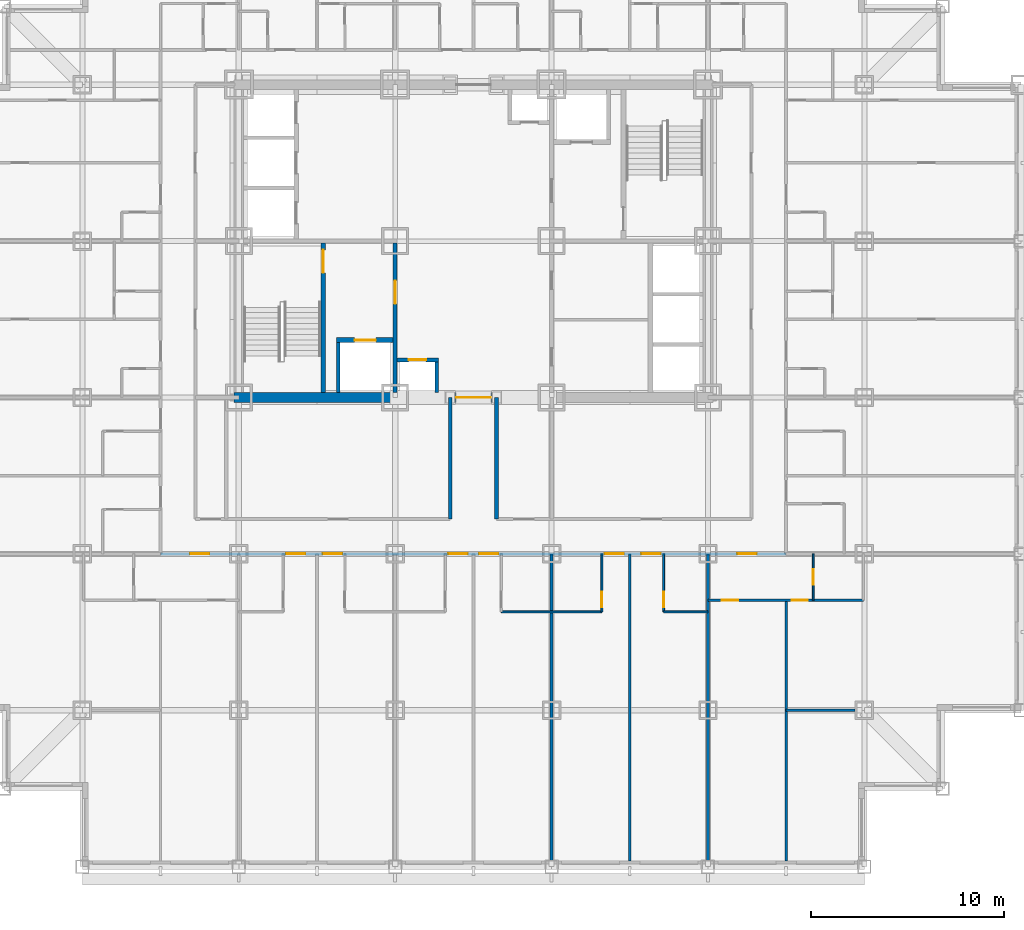
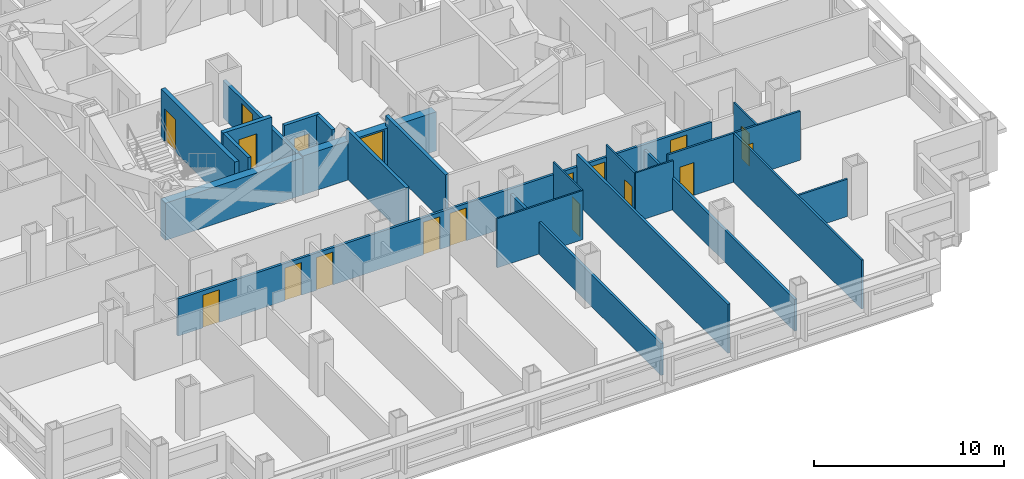
# One storey, part 6 of 12: 22 walls, 18 doors, 18 openings.
"""IFC4 building model written with IfcOpenShell, lengths in metres."""

from ifc_helpers import new_model, si_unit, direction, frame, frame_2d, origin, place, context, subcontext, project, spatial, rectangle, extrude, material, layer, layer_set, type_object, element, fill, save


model = new_model("IFC4")

# Units and contexts
model_context = context("Model", 3, precision=1e-05, world=origin(), true_north=direction((0.0, 1.0)))
body_context = subcontext(model_context, "Body", "Model", "MODEL_VIEW")
ifc_project = project(units=[si_unit("LENGTHUNIT", "METRE"), si_unit("AREAUNIT", "SQUARE_METRE"), si_unit("VOLUMEUNIT", "CUBIC_METRE"), si_unit("PLANEANGLEUNIT", "RADIAN"), si_unit("MASSUNIT", "GRAM", prefix="KILO")], contexts=[model_context])

# Site, building, storey
site_placement = place(None, origin())
site = spatial("IfcSite", under=ifc_project, at=site_placement, CompositionType="ELEMENT")
building_placement = place(site_placement, origin())
building = spatial("IfcBuilding", under=site, at=building_placement, Name="Kopane Lantern Tower", CompositionType="ELEMENT")
storey_placement = place(building_placement, frame((0.0, 0.0, 87.39990234375)))
storey = spatial("IfcBuildingStorey", under=building, at=storey_placement, Name="L22", CompositionType="ELEMENT", Elevation=87.39990234375)

# Wall, openings, doors
ifc_material_1 = material(Name="Gypsum board on steel studs", Category="steel")
ifc_layer_1 = layer(ifc_material_1, 0.1201171875)
ifc_layer_set_1 = layer_set([ifc_layer_1], Name="APARTMENT INTERNAL WALL 120")
wall_type_1 = type_object("IfcWallType", Name="APARTMENT INTERNAL WALL 120", PredefinedType="PARTITIONING", material=ifc_layer_set_1)
wall_1_placement = place(storey_placement, frame((40.5, 13.800048828125, 0.0), z_axis=(0.0, 0.0, 1.0), x_axis=(1.0, 0.0, 0.0)))
wall_1 = element("IfcWall", 1, at=wall_1_placement, inside=storey, type_object=wall_type_1, Name="Apartment Internal Wall 120 L22", PredefinedType="PARTITIONING", context=body_context, shape_type="SweptSolid", body=[
    extrude(rectangle(XDim=8.050048828125, YDim=0.1201171875, at=frame_2d((4.02490234375, 0.0))), origin(), (0.0, 0.0, 1.0), 3.150146484375),
])
opening_1_placement = place(wall_1_placement, frame((0.72509765625, 0.0, 0.0)))
opening_1 = element("IfcOpeningElement", 2, at=opening_1_placement, cuts=wall_1, Name="Opening L22-062", PredefinedType="OPENING", context=body_context, shape_type="SweptSolid", body=[
    extrude(rectangle(XDim=0.85009765625, YDim=2.10009765625, at=frame_2d((0.425048828125, 1.050048828125))), frame((0.0, 0.070068359375, 0.0), z_axis=(0.0, -1.0, 0.0), x_axis=(1.0, 0.0, 0.0)), (0.0, 0.0, 1.0), 0.14013671875),
])
opening_2_placement = place(wall_1_placement, frame((4.324951171875, 0.0, 0.0)))
opening_2 = element("IfcOpeningElement", 3, at=opening_2_placement, cuts=wall_1, Name="Opening L22-064", PredefinedType="OPENING", context=body_context, shape_type="SweptSolid", body=[
    extrude(rectangle(XDim=0.85009765625, YDim=2.10009765625, at=frame_2d((0.425048828125, 1.050048828125))), frame((0.0, 0.070068359375, 0.0), z_axis=(0.0, -1.0, 0.0), x_axis=(1.0, 0.0, 0.0)), (0.0, 0.0, 1.0), 0.14013671875),
])
ifc_material_2 = material(Name="Timber door set", Category="wood")
door_type_1 = type_object("IfcDoorType", Name="DOOR D4 850x2100", OperationType="SINGLE_SWING_LEFT", PredefinedType="DOOR", material=ifc_material_2)
door_1_placement = place(opening_1_placement, origin())
door_1 = element("IfcDoor", 4, at=door_1_placement, inside=storey, type_object=door_type_1, Name="Door L22-062", OperationType="SINGLE_SWING_LEFT", OverallHeight=2.10009765625, OverallWidth=0.85009765625, PredefinedType="DOOR", context=body_context, shape_type="SweptSolid", body=[
    extrude(rectangle(XDim=0.85009765625, YDim=2.10009765625, at=frame_2d((0.425048828125, 1.050048828125))), frame((0.0, 0.02490234375, 0.0), z_axis=(0.0, -1.0, 0.0), x_axis=(1.0, 0.0, 0.0)), (0.0, 0.0, 1.0), 0.050048828125),
])
fill(opening_1, door_1)
door_2_placement = place(opening_2_placement, origin())
door_2 = element("IfcDoor", 5, at=door_2_placement, inside=storey, type_object=door_type_1, Name="Door L22-064", OperationType="SINGLE_SWING_RIGHT", OverallHeight=2.10009765625, OverallWidth=0.85009765625, PredefinedType="DOOR", context=body_context, shape_type="SweptSolid", body=[
    extrude(rectangle(XDim=0.85009765625, YDim=2.10009765625, at=frame_2d((0.425048828125, 1.050048828125))), frame((0.0, 0.02490234375, 0.0), z_axis=(0.0, -1.0, 0.0), x_axis=(1.0, 0.0, 0.0)), (0.0, 0.0, 1.0), 0.050048828125),
])
fill(opening_2, door_2)

# Walls
wall_2_placement = place(storey_placement, frame((44.550048828125, 13.800048828125, 0.0), z_axis=(0.0, 0.0, 1.0), x_axis=(0.0, -1.0, 0.0)))
element("IfcWall", 6, at=wall_2_placement, inside=storey, type_object=wall_type_1, Name="Apartment Internal Wall 120 L22", PredefinedType="PARTITIONING", context=body_context, shape_type="SweptSolid", body=[
    extrude(rectangle(XDim=13.5, YDim=0.1201171875, at=frame_2d((6.75, 0.0))), origin(), (0.0, 0.0, 1.0), 3.150146484375),
])
wall_3_placement = place(storey_placement, frame((44.550048828125, 8.10009765625, 0.0), z_axis=(0.0, 0.0, 1.0), x_axis=(1.0, 0.0, 0.0)))
element("IfcWall", 7, at=wall_3_placement, inside=storey, type_object=wall_type_1, Name="Apartment Internal Wall 120 L22", PredefinedType="PARTITIONING", context=body_context, shape_type="SweptSolid", body=[
    extrude(rectangle(XDim=3.574951171875, YDim=0.1201171875, at=frame_2d((1.78759765625, 0.0))), origin(), (0.0, 0.0, 1.0), 2.387939453125),
])
ifc_material_3 = material(Name="Moisture-resistant board on steel studs", Category="steel")
ifc_layer_2 = layer(ifc_material_3, 0.10009765625)
ifc_layer_set_2 = layer_set([ifc_layer_2], Name="BATHROOM WALL 100")
wall_type_2 = type_object("IfcWallType", Name="BATHROOM WALL 100", PredefinedType="PARTITIONING", material=ifc_layer_set_2)
wall_4_placement = place(storey_placement, frame((29.800048828125, 13.199951171875, 0.0), z_axis=(0.0, 0.0, 1.0), x_axis=(1.0, 0.0, 0.0)))
element("IfcWall", 8, at=wall_4_placement, inside=storey, type_object=wall_type_2, Name="Bathroom Wall 100 L22", PredefinedType="PARTITIONING", context=body_context, shape_type="SweptSolid", body=[
    extrude(rectangle(XDim=5.199951171875, YDim=0.10009765625, at=frame_2d((2.60009765625, 0.0))), origin(), (0.0, 0.0, 1.0), 3.150146484375),
])

# Wall, opening, door
wall_5_placement = place(storey_placement, frame((35.0, 16.199951171875, 0.0), z_axis=(0.0, 0.0, 1.0), x_axis=(0.0, -1.0, 0.0)))
wall_5 = element("IfcWall", 9, at=wall_5_placement, inside=storey, type_object=wall_type_2, Name="Bathroom Wall 100 L22", PredefinedType="PARTITIONING", context=body_context, shape_type="SweptSolid", body=[
    extrude(rectangle(XDim=3.0, YDim=0.10009765625, at=frame_2d((1.5, 0.0))), origin(), (0.0, 0.0, 1.0), 3.150146484375),
])
opening_3_placement = place(wall_5_placement, frame((1.949951171875, 0.0, 0.0)))
opening_3 = element("IfcOpeningElement", 10, at=opening_3_placement, cuts=wall_5, Name="Opening L22-017", PredefinedType="OPENING", context=body_context, shape_type="SweptSolid", body=[
    extrude(rectangle(XDim=0.800048828125, YDim=2.10009765625, at=frame_2d((0.39990234375, 1.050048828125))), frame((0.0, 0.06005859375, 0.0), z_axis=(0.0, -1.0, 0.0), x_axis=(1.0, 0.0, 0.0)), (0.0, 0.0, 1.0), 0.1201171875),
])
ifc_material_4 = material(Name="Timber door set", Category="wood")
door_type_2 = type_object("IfcDoorType", Name="DOOR D2 800x2100", OperationType="SINGLE_SWING_LEFT", PredefinedType="DOOR", material=ifc_material_4)
door_3_placement = place(opening_3_placement, origin())
door_3 = element("IfcDoor", 11, at=door_3_placement, inside=storey, type_object=door_type_2, Name="Door L22-017", OperationType="SINGLE_SWING_LEFT", OverallHeight=2.10009765625, OverallWidth=0.800048828125, PredefinedType="DOOR", context=body_context, shape_type="SweptSolid", body=[
    extrude(rectangle(XDim=0.800048828125, YDim=2.10009765625, at=frame_2d((0.39990234375, 1.050048828125))), frame((0.0, 0.02490234375, 0.0), z_axis=(0.0, -1.0, 0.0), x_axis=(1.0, 0.0, 0.0)), (0.0, 0.0, 1.0), 0.050048828125),
])
fill(opening_3, door_3)

# Wall
wall_6_placement = place(storey_placement, frame((38.199951171875, 13.199951171875, 0.0), z_axis=(0.0, 0.0, 1.0), x_axis=(1.0, 0.0, 0.0)))
element("IfcWall", 12, at=wall_6_placement, inside=storey, type_object=wall_type_2, Name="Bathroom Wall 100 L22", PredefinedType="PARTITIONING", context=body_context, shape_type="SweptSolid", body=[
    extrude(rectangle(XDim=2.300048828125, YDim=0.10009765625, at=frame_2d((1.14990234375, 0.0))), origin(), (0.0, 0.0, 1.0), 3.150146484375),
])

# Wall, opening, door
wall_7_placement = place(storey_placement, frame((38.199951171875, 16.199951171875, 0.0), z_axis=(0.0, 0.0, 1.0), x_axis=(0.0, -1.0, 0.0)))
wall_7 = element("IfcWall", 13, at=wall_7_placement, inside=storey, type_object=wall_type_2, Name="Bathroom Wall 100 L22", PredefinedType="PARTITIONING", context=body_context, shape_type="SweptSolid", body=[
    extrude(rectangle(XDim=3.0, YDim=0.10009765625, at=frame_2d((1.5, 0.0))), origin(), (0.0, 0.0, 1.0), 3.150146484375),
])
opening_4_placement = place(wall_7_placement, frame((1.949951171875, 0.0, 0.0)))
opening_4 = element("IfcOpeningElement", 14, at=opening_4_placement, cuts=wall_7, Name="Opening L22-019", PredefinedType="OPENING", context=body_context, shape_type="SweptSolid", body=[
    extrude(rectangle(XDim=0.800048828125, YDim=2.10009765625, at=frame_2d((0.39990234375, 1.050048828125))), frame((0.0, 0.06005859375, 0.0), z_axis=(0.0, -1.0, 0.0), x_axis=(1.0, 0.0, 0.0)), (0.0, 0.0, 1.0), 0.1201171875),
])
door_4_placement = place(opening_4_placement, origin())
door_4 = element("IfcDoor", 15, at=door_4_placement, inside=storey, type_object=door_type_2, Name="Door L22-019", OperationType="SINGLE_SWING_RIGHT", OverallHeight=2.10009765625, OverallWidth=0.800048828125, PredefinedType="DOOR", context=body_context, shape_type="SweptSolid", body=[
    extrude(rectangle(XDim=0.800048828125, YDim=2.10009765625, at=frame_2d((0.39990234375, 1.050048828125))), frame((0.0, 0.02490234375, 0.0), z_axis=(0.0, -1.0, 0.0), x_axis=(1.0, 0.0, 0.0)), (0.0, 0.0, 1.0), 0.050048828125),
])
fill(opening_4, door_4)

wall_8_placement = place(storey_placement, frame((45.949951171875, 16.199951171875, 0.0), z_axis=(0.0, 0.0, 1.0), x_axis=(0.0, -1.0, 0.0)))
wall_8 = element("IfcWall", 16, at=wall_8_placement, inside=storey, type_object=wall_type_2, Name="Bathroom Wall 100 L22", PredefinedType="PARTITIONING", context=body_context, shape_type="SweptSolid", body=[
    extrude(rectangle(XDim=2.39990234375, YDim=0.10009765625, at=frame_2d((1.199951171875, 0.0))), origin(), (0.0, 0.0, 1.0), 3.150146484375),
])
opening_5_placement = place(wall_8_placement, frame((0.800048828125, 0.0, 0.0)))
opening_5 = element("IfcOpeningElement", 17, at=opening_5_placement, cuts=wall_8, Name="Opening L22-063", PredefinedType="OPENING", context=body_context, shape_type="SweptSolid", body=[
    extrude(rectangle(XDim=0.800048828125, YDim=2.10009765625, at=frame_2d((0.39990234375, 1.050048828125))), frame((0.0, 0.06005859375, 0.0), z_axis=(0.0, -1.0, 0.0), x_axis=(1.0, 0.0, 0.0)), (0.0, 0.0, 1.0), 0.1201171875),
])
door_5_placement = place(opening_5_placement, origin())
door_5 = element("IfcDoor", 18, at=door_5_placement, inside=storey, type_object=door_type_2, Name="Door L22-063", OperationType="SINGLE_SWING_LEFT", OverallHeight=2.10009765625, OverallWidth=0.800048828125, PredefinedType="DOOR", context=body_context, shape_type="SweptSolid", body=[
    extrude(rectangle(XDim=0.800048828125, YDim=2.10009765625, at=frame_2d((0.39990234375, 1.050048828125))), frame((0.0, 0.02490234375, 0.0), z_axis=(0.0, -1.0, 0.0), x_axis=(1.0, 0.0, 0.0)), (0.0, 0.0, 1.0), 0.050048828125),
])
fill(opening_5, door_5)

# Wall
ifc_material_5 = material(Name="Gypsum shaft wall EI 120", Category="gypsum")
ifc_layer_3 = layer(ifc_material_5, 0.5)
ifc_layer_set_3 = layer_set([ifc_layer_3], Name="CORE PERIMETER WALL 500 EI 120")
wall_type_3 = type_object("IfcWallType", Name="CORE PERIMETER WALL 500 EI 120", PredefinedType="SOLIDWALL", material=ifc_layer_set_3)
wall_9_placement = place(storey_placement, frame((15.949951171875, 24.300048828125, 0.0), z_axis=(0.0, 0.0, 1.0), x_axis=(1.0, 0.0, 0.0)))
element("IfcWall", 19, at=wall_9_placement, inside=storey, type_object=wall_type_3, Name="Core shaft wall L22 PSW", PredefinedType="SOLIDWALL", context=body_context, shape_type="SweptSolid", body=[
    extrude(rectangle(XDim=8.35009765625, YDim=0.5, at=frame_2d((4.175048828125, 0.0))), origin(), (0.0, 0.0, 1.0), 2.387939453125),
])

# Wall, opening, door
wall_10_placement = place(storey_placement, frame((24.300048828125, 24.300048828125, 0.0), z_axis=(0.0, 0.0, 1.0), x_axis=(1.0, 0.0, 0.0)))
wall_10 = element("IfcWall", 20, at=wall_10_placement, inside=storey, type_object=wall_type_3, Name="Core shaft wall L22 PS", PredefinedType="SOLIDWALL", context=body_context, shape_type="SweptSolid", body=[
    extrude(rectangle(XDim=8.099853515625, YDim=0.5, at=frame_2d((4.0498046875, 0.0))), origin(), (0.0, 0.0, 1.0), 2.5),
])
opening_6_placement = place(wall_10_placement, frame((3.14990234375, 0.0, 0.0)))
opening_6 = element("IfcOpeningElement", 21, at=opening_6_placement, cuts=wall_10, Name="Opening 22.CE-S", PredefinedType="OPENING", context=body_context, shape_type="SweptSolid", body=[
    extrude(rectangle(XDim=1.800048828125, YDim=2.39990234375, at=frame_2d((0.89990234375, 1.199951171875))), frame((0.0, 0.260009765625, 0.0), z_axis=(0.0, -1.0, 0.0), x_axis=(1.0, 0.0, 0.0)), (0.0, 0.0, 1.0), 0.52001953125),
])
ifc_material_6 = material(Name="Steel door set", Category="steel")
door_type_3 = type_object("IfcDoorType", Name="CORE ENTRY DOOR 1800x2400 FD60S", OperationType="DOUBLE_DOOR_SINGLE_SWING", PredefinedType="DOOR", material=ifc_material_6)
door_6_placement = place(opening_6_placement, origin())
door_6 = element("IfcDoor", 22, at=door_6_placement, inside=storey, type_object=door_type_3, Name="Core entry door L22 south", OperationType="DOUBLE_DOOR_SINGLE_SWING", OverallHeight=2.39990234375, OverallWidth=1.800048828125, PredefinedType="DOOR", context=body_context, shape_type="SweptSolid", body=[
    extrude(rectangle(XDim=1.800048828125, YDim=2.39990234375, at=frame_2d((0.89990234375, 1.199951171875))), frame((0.0, 0.02490234375, 0.0), z_axis=(0.0, -1.0, 0.0), x_axis=(1.0, 0.0, 0.0)), (0.0, 0.0, 1.0), 0.050048828125),
])
fill(opening_6, door_6)

ifc_material_7 = material(Name="Gypsum shaft wall EI 120", Category="gypsum")
ifc_layer_4 = layer(ifc_material_7, 0.25)
ifc_layer_set_4 = layer_set([ifc_layer_4], Name="CORE SHAFT WALL 250 EI 120")
wall_type_4 = type_object("IfcWallType", Name="CORE SHAFT WALL 250 EI 120", PredefinedType="SOLIDWALL", material=ifc_layer_set_4)
wall_11_placement = place(storey_placement, frame((20.574951171875, 24.550048828125, 0.0), z_axis=(0.0, 0.0, 1.0), x_axis=(0.0, 1.0, 0.0)))
wall_11 = element("IfcWall", 23, at=wall_11_placement, inside=storey, type_object=wall_type_4, Name="Core shaft wall L22 XST1", PredefinedType="SOLIDWALL", context=body_context, shape_type="SweptSolid", body=[
    extrude(rectangle(XDim=7.75, YDim=0.25, at=frame_2d((3.875, 0.0))), origin(), (0.0, 0.0, 1.0), 3.150146484375),
])
opening_7_placement = place(wall_11_placement, frame((6.199951171875, 0.0, 0.0)))
opening_7 = element("IfcOpeningElement", 24, at=opening_7_placement, cuts=wall_11, Name="Opening 22.SD1", PredefinedType="OPENING", context=body_context, shape_type="SweptSolid", body=[
    extrude(rectangle(XDim=1.199951171875, YDim=2.10009765625, at=frame_2d((0.60009765625, 1.050048828125))), frame((0.0, 0.135009765625, 0.0), z_axis=(0.0, -1.0, 0.0), x_axis=(1.0, 0.0, 0.0)), (0.0, 0.0, 1.0), 0.27001953125),
])
ifc_material_8 = material(Name="Steel door set", Category="steel")
door_type_4 = type_object("IfcDoorType", Name="STAIR DOOR 1200x2100 FD60S", OperationType="SINGLE_SWING_LEFT", PredefinedType="DOOR", material=ifc_material_8)
door_7_placement = place(opening_7_placement, origin())
door_7 = element("IfcDoor", 25, at=door_7_placement, inside=storey, type_object=door_type_4, Name="Stair door ST1 L22", OperationType="SINGLE_SWING_LEFT", OverallHeight=2.10009765625, OverallWidth=1.199951171875, PredefinedType="DOOR", context=body_context, shape_type="SweptSolid", body=[
    extrude(rectangle(XDim=1.199951171875, YDim=2.10009765625, at=frame_2d((0.60009765625, 1.050048828125))), frame((0.0, 0.02490234375, 0.0), z_axis=(0.0, -1.0, 0.0), x_axis=(1.0, 0.0, 0.0)), (0.0, 0.0, 1.0), 0.050048828125),
])
fill(opening_7, door_7)

wall_12_placement = place(storey_placement, frame((21.25, 27.27490234375, 0.0), z_axis=(0.0, 0.0, 1.0), x_axis=(1.0, 0.0, 0.0)))
wall_12 = element("IfcWall", 26, at=wall_12_placement, inside=storey, type_object=wall_type_4, Name="Core shaft wall L22 YLF1", PredefinedType="SOLIDWALL", context=body_context, shape_type="SweptSolid", body=[
    extrude(rectangle(XDim=2.949951171875, YDim=0.25, at=frame_2d((1.47509765625, 0.0))), origin(), (0.0, 0.0, 1.0), 3.150146484375),
])
opening_8_placement = place(wall_12_placement, frame((0.949951171875, 0.0, 0.0)))
opening_8 = element("IfcOpeningElement", 27, at=opening_8_placement, cuts=wall_12, Name="Opening 22.LD-LF1", PredefinedType="OPENING", context=body_context, shape_type="SweptSolid", body=[
    extrude(rectangle(XDim=1.10009765625, YDim=2.39990234375, at=frame_2d((0.550048828125, 1.199951171875))), frame((0.0, 0.135009765625, 0.0), z_axis=(0.0, -1.0, 0.0), x_axis=(1.0, 0.0, 0.0)), (0.0, 0.0, 1.0), 0.27001953125),
])
ifc_material_9 = material(Name="Steel door set", Category="steel")
door_type_5 = type_object("IfcDoorType", Name="LIFT LANDING DOOR 1100x2400 FD60", OperationType="DOUBLE_DOOR_SLIDING", PredefinedType="DOOR", material=ifc_material_9)
door_8_placement = place(opening_8_placement, origin())
door_8 = element("IfcDoor", 28, at=door_8_placement, inside=storey, type_object=door_type_5, Name="Landing door LF1 L22", OperationType="DOUBLE_DOOR_SLIDING", OverallHeight=2.39990234375, OverallWidth=1.10009765625, PredefinedType="DOOR", context=body_context, shape_type="SweptSolid", body=[
    extrude(rectangle(XDim=1.10009765625, YDim=2.39990234375, at=frame_2d((0.550048828125, 1.199951171875))), frame((0.0, 0.02490234375, 0.0), z_axis=(0.0, -1.0, 0.0), x_axis=(1.0, 0.0, 0.0)), (0.0, 0.0, 1.0), 0.050048828125),
])
fill(opening_8, door_8)

# Wall, openings, doors
ifc_material_10 = material(Name="Gypsum board on steel studs", Category="steel")
ifc_layer_5 = layer(ifc_material_10, 0.14990234375)
ifc_layer_set_5 = layer_set([ifc_layer_5], Name="CORRIDOR WALL 150 EI 60")
wall_type_5 = type_object("IfcWallType", Name="CORRIDOR WALL 150 EI 60", PredefinedType="PARTITIONING", material=ifc_layer_set_5)
wall_13_placement = place(storey_placement, frame((12.14990234375, 16.199951171875, 0.0), z_axis=(0.0, 0.0, 1.0), x_axis=(1.0, 0.0, 0.0)))
wall_13 = element("IfcWall", 29, at=wall_13_placement, inside=storey, type_object=wall_type_5, Name="Corridor Wall 150 Ei 60 L22", PredefinedType="PARTITIONING", context=body_context, shape_type="SweptSolid", body=[
    extrude(rectangle(XDim=32.400146484375, YDim=0.14990234375, at=frame_2d((16.2001953125, 0.0))), origin(), (0.0, 0.0, 1.0), 2.387939453125),
])
opening_9_placement = place(wall_13_placement, frame((6.5, 0.0, 0.0)))
opening_9 = element("IfcOpeningElement", 30, at=opening_9_placement, cuts=wall_13, Name="Opening L22-010", PredefinedType="OPENING", context=body_context, shape_type="SweptSolid", body=[
    extrude(rectangle(XDim=1.0, YDim=2.10009765625, at=frame_2d((0.5, 1.050048828125))), frame((0.0, 0.0849609375, 0.0), z_axis=(0.0, -1.0, 0.0), x_axis=(1.0, 0.0, 0.0)), (0.0, 0.0, 1.0), 0.169921875),
])
opening_10_placement = place(wall_13_placement, frame((8.39990234375, 0.0, 0.0)))
opening_10 = element("IfcOpeningElement", 31, at=opening_10_placement, cuts=wall_13, Name="Opening L22-012", PredefinedType="OPENING", context=body_context, shape_type="SweptSolid", body=[
    extrude(rectangle(XDim=1.0, YDim=2.10009765625, at=frame_2d((0.5, 1.050048828125))), frame((0.0, 0.0849609375, 0.0), z_axis=(0.0, -1.0, 0.0), x_axis=(1.0, 0.0, 0.0)), (0.0, 0.0, 1.0), 0.169921875),
])
opening_11_placement = place(wall_13_placement, frame((14.89990234375, 0.0, 0.0)))
opening_11 = element("IfcOpeningElement", 32, at=opening_11_placement, cuts=wall_13, Name="Opening L22-014", PredefinedType="OPENING", context=body_context, shape_type="SweptSolid", body=[
    extrude(rectangle(XDim=1.0, YDim=2.10009765625, at=frame_2d((0.5, 1.050048828125))), frame((0.0, 0.0849609375, 0.0), z_axis=(0.0, -1.0, 0.0), x_axis=(1.0, 0.0, 0.0)), (0.0, 0.0, 1.0), 0.169921875),
])
opening_12_placement = place(wall_13_placement, frame((16.5, 0.0, 0.0)))
opening_12 = element("IfcOpeningElement", 33, at=opening_12_placement, cuts=wall_13, Name="Opening L22-016", PredefinedType="OPENING", context=body_context, shape_type="SweptSolid", body=[
    extrude(rectangle(XDim=1.0, YDim=2.10009765625, at=frame_2d((0.5, 1.050048828125))), frame((0.0, 0.0849609375, 0.0), z_axis=(0.0, -1.0, 0.0), x_axis=(1.0, 0.0, 0.0)), (0.0, 0.0, 1.0), 0.169921875),
])
opening_13_placement = place(wall_13_placement, frame((23.0, 0.0, 0.0)))
opening_13 = element("IfcOpeningElement", 34, at=opening_13_placement, cuts=wall_13, Name="Opening L22-018", PredefinedType="OPENING", context=body_context, shape_type="SweptSolid", body=[
    extrude(rectangle(XDim=1.0, YDim=2.10009765625, at=frame_2d((0.5, 1.050048828125))), frame((0.0, 0.0849609375, 0.0), z_axis=(0.0, -1.0, 0.0), x_axis=(1.0, 0.0, 0.0)), (0.0, 0.0, 1.0), 0.169921875),
])
opening_14_placement = place(wall_13_placement, frame((24.89990234375, 0.0, 0.0)))
opening_14 = element("IfcOpeningElement", 35, at=opening_14_placement, cuts=wall_13, Name="Opening L22-020", PredefinedType="OPENING", context=body_context, shape_type="SweptSolid", body=[
    extrude(rectangle(XDim=1.0, YDim=2.10009765625, at=frame_2d((0.5, 1.050048828125))), frame((0.0, 0.0849609375, 0.0), z_axis=(0.0, -1.0, 0.0), x_axis=(1.0, 0.0, 0.0)), (0.0, 0.0, 1.0), 0.169921875),
])
opening_15_placement = place(wall_13_placement, frame((1.52490234375, 0.0, 0.0)))
opening_15 = element("IfcOpeningElement", 36, at=opening_15_placement, cuts=wall_13, Name="Opening L22-057", PredefinedType="OPENING", context=body_context, shape_type="SweptSolid", body=[
    extrude(rectangle(XDim=1.0, YDim=2.10009765625, at=frame_2d((0.5, 1.050048828125))), frame((0.0, 0.0849609375, 0.0), z_axis=(0.0, -1.0, 0.0), x_axis=(1.0, 0.0, 0.0)), (0.0, 0.0, 1.0), 0.169921875),
])
opening_16_placement = place(wall_13_placement, frame((29.875, 0.0, 0.0)))
opening_16 = element("IfcOpeningElement", 37, at=opening_16_placement, cuts=wall_13, Name="Opening L22-061", PredefinedType="OPENING", context=body_context, shape_type="SweptSolid", body=[
    extrude(rectangle(XDim=1.0, YDim=2.10009765625, at=frame_2d((0.5, 1.050048828125))), frame((0.0, 0.0849609375, 0.0), z_axis=(0.0, -1.0, 0.0), x_axis=(1.0, 0.0, 0.0)), (0.0, 0.0, 1.0), 0.169921875),
])
ifc_material_11 = material(Name="Steel door set", Category="steel")
door_type_6 = type_object("IfcDoorType", Name="DOOR D1 1000x2100 FD30S", OperationType="SINGLE_SWING_LEFT", PredefinedType="DOOR", material=ifc_material_11)
door_9_placement = place(opening_9_placement, origin())
door_9 = element("IfcDoor", 38, at=door_9_placement, inside=storey, type_object=door_type_6, Name="Door L22-010", OperationType="SINGLE_SWING_RIGHT", OverallHeight=2.10009765625, OverallWidth=1.0, PredefinedType="DOOR", context=body_context, shape_type="SweptSolid", body=[
    extrude(rectangle(XDim=1.0, YDim=2.10009765625, at=frame_2d((0.5, 1.050048828125))), frame((0.0, 0.02490234375, 0.0), z_axis=(0.0, -1.0, 0.0), x_axis=(1.0, 0.0, 0.0)), (0.0, 0.0, 1.0), 0.050048828125),
])
fill(opening_9, door_9)
door_10_placement = place(opening_10_placement, origin())
door_10 = element("IfcDoor", 39, at=door_10_placement, inside=storey, type_object=door_type_6, Name="Door L22-012", OperationType="SINGLE_SWING_LEFT", OverallHeight=2.10009765625, OverallWidth=1.0, PredefinedType="DOOR", context=body_context, shape_type="SweptSolid", body=[
    extrude(rectangle(XDim=1.0, YDim=2.10009765625, at=frame_2d((0.5, 1.050048828125))), frame((0.0, 0.02490234375, 0.0), z_axis=(0.0, -1.0, 0.0), x_axis=(1.0, 0.0, 0.0)), (0.0, 0.0, 1.0), 0.050048828125),
])
fill(opening_10, door_10)
door_11_placement = place(opening_11_placement, origin())
door_11 = element("IfcDoor", 40, at=door_11_placement, inside=storey, type_object=door_type_6, Name="Door L22-014", OperationType="SINGLE_SWING_RIGHT", OverallHeight=2.10009765625, OverallWidth=1.0, PredefinedType="DOOR", context=body_context, shape_type="SweptSolid", body=[
    extrude(rectangle(XDim=1.0, YDim=2.10009765625, at=frame_2d((0.5, 1.050048828125))), frame((0.0, 0.02490234375, 0.0), z_axis=(0.0, -1.0, 0.0), x_axis=(1.0, 0.0, 0.0)), (0.0, 0.0, 1.0), 0.050048828125),
])
fill(opening_11, door_11)
door_12_placement = place(opening_12_placement, origin())
door_12 = element("IfcDoor", 41, at=door_12_placement, inside=storey, type_object=door_type_6, Name="Door L22-016", OperationType="SINGLE_SWING_LEFT", OverallHeight=2.10009765625, OverallWidth=1.0, PredefinedType="DOOR", context=body_context, shape_type="SweptSolid", body=[
    extrude(rectangle(XDim=1.0, YDim=2.10009765625, at=frame_2d((0.5, 1.050048828125))), frame((0.0, 0.02490234375, 0.0), z_axis=(0.0, -1.0, 0.0), x_axis=(1.0, 0.0, 0.0)), (0.0, 0.0, 1.0), 0.050048828125),
])
fill(opening_12, door_12)
door_13_placement = place(opening_13_placement, origin())
door_13 = element("IfcDoor", 42, at=door_13_placement, inside=storey, type_object=door_type_6, Name="Door L22-018", OperationType="SINGLE_SWING_RIGHT", OverallHeight=2.10009765625, OverallWidth=1.0, PredefinedType="DOOR", context=body_context, shape_type="SweptSolid", body=[
    extrude(rectangle(XDim=1.0, YDim=2.10009765625, at=frame_2d((0.5, 1.050048828125))), frame((0.0, 0.02490234375, 0.0), z_axis=(0.0, -1.0, 0.0), x_axis=(1.0, 0.0, 0.0)), (0.0, 0.0, 1.0), 0.050048828125),
])
fill(opening_13, door_13)
door_14_placement = place(opening_14_placement, origin())
door_14 = element("IfcDoor", 43, at=door_14_placement, inside=storey, type_object=door_type_6, Name="Door L22-020", OperationType="SINGLE_SWING_LEFT", OverallHeight=2.10009765625, OverallWidth=1.0, PredefinedType="DOOR", context=body_context, shape_type="SweptSolid", body=[
    extrude(rectangle(XDim=1.0, YDim=2.10009765625, at=frame_2d((0.5, 1.050048828125))), frame((0.0, 0.02490234375, 0.0), z_axis=(0.0, -1.0, 0.0), x_axis=(1.0, 0.0, 0.0)), (0.0, 0.0, 1.0), 0.050048828125),
])
fill(opening_14, door_14)
door_15_placement = place(opening_15_placement, origin())
door_15 = element("IfcDoor", 44, at=door_15_placement, inside=storey, type_object=door_type_6, Name="Door L22-057", OperationType="SINGLE_SWING_LEFT", OverallHeight=2.10009765625, OverallWidth=1.0, PredefinedType="DOOR", context=body_context, shape_type="SweptSolid", body=[
    extrude(rectangle(XDim=1.0, YDim=2.10009765625, at=frame_2d((0.5, 1.050048828125))), frame((0.0, 0.02490234375, 0.0), z_axis=(0.0, -1.0, 0.0), x_axis=(1.0, 0.0, 0.0)), (0.0, 0.0, 1.0), 0.050048828125),
])
fill(opening_15, door_15)
door_16_placement = place(opening_16_placement, origin())
door_16 = element("IfcDoor", 45, at=door_16_placement, inside=storey, type_object=door_type_6, Name="Door L22-061", OperationType="SINGLE_SWING_RIGHT", OverallHeight=2.10009765625, OverallWidth=1.0, PredefinedType="DOOR", context=body_context, shape_type="SweptSolid", body=[
    extrude(rectangle(XDim=1.0, YDim=2.10009765625, at=frame_2d((0.5, 1.050048828125))), frame((0.0, 0.02490234375, 0.0), z_axis=(0.0, -1.0, 0.0), x_axis=(1.0, 0.0, 0.0)), (0.0, 0.0, 1.0), 0.050048828125),
])
fill(opening_16, door_16)

# Walls
ifc_material_12 = material(Name="Gypsum board on steel studs", Category="steel")
ifc_layer_6 = layer(ifc_material_12, 0.14990234375)
ifc_layer_set_6 = layer_set([ifc_layer_6], Name="DEMISING WALL 150 EI 60")
wall_type_6 = type_object("IfcWallType", Name="DEMISING WALL 150 EI 60", PredefinedType="PARTITIONING", material=ifc_layer_set_6)
wall_14_placement = place(storey_placement, frame((32.39990234375, 16.199951171875, 0.0), z_axis=(0.0, 0.0, 1.0), x_axis=(0.0, -1.0, 0.0)))
element("IfcWall", 46, at=wall_14_placement, inside=storey, type_object=wall_type_6, Name="Demising Wall 150 Ei 60 L22", PredefinedType="PARTITIONING", context=body_context, shape_type="SweptSolid", body=[
    extrude(rectangle(XDim=15.89990234375, YDim=0.14990234375, at=frame_2d((7.949951171875, 0.0))), origin(), (0.0, 0.0, 1.0), 2.050048828125),
])
wall_15_placement = place(storey_placement, frame((36.449951171875, 16.199951171875, 0.0), z_axis=(0.0, 0.0, 1.0), x_axis=(0.0, -1.0, 0.0)))
element("IfcWall", 47, at=wall_15_placement, inside=storey, type_object=wall_type_6, Name="Demising Wall 150 Ei 60 L22", PredefinedType="PARTITIONING", context=body_context, shape_type="SweptSolid", body=[
    extrude(rectangle(XDim=15.89990234375, YDim=0.14990234375, at=frame_2d((7.949951171875, 0.0))), origin(), (0.0, 0.0, 1.0), 3.150146484375),
])
wall_16_placement = place(storey_placement, frame((40.5, 16.199951171875, 0.0), z_axis=(0.0, 0.0, 1.0), x_axis=(0.0, -1.0, 0.0)))
element("IfcWall", 48, at=wall_16_placement, inside=storey, type_object=wall_type_6, Name="Demising Wall 150 Ei 60 L22", PredefinedType="PARTITIONING", context=body_context, shape_type="SweptSolid", body=[
    extrude(rectangle(XDim=15.89990234375, YDim=0.14990234375, at=frame_2d((7.949951171875, 0.0))), origin(), (0.0, 0.0, 1.0), 2.050048828125),
])
ifc_material_13 = material(Name="Concrete masonry", Category="masonry")
ifc_layer_7 = layer(ifc_material_13, 0.199951171875)
ifc_layer_set_7 = layer_set([ifc_layer_7], Name="PLANT ROOM WALL 200 EI 120")
wall_type_7 = type_object("IfcWallType", Name="PLANT ROOM WALL 200 EI 120", PredefinedType="SOLIDWALL", material=ifc_layer_set_7)
for number, where, z_axis, x_axis, name in (
    (49, (27.14990234375, 18.0, 0.0), (0.0, 0.0, 1.0), (0.0, 1.0, 0.0), "Plant Room Wall 200 Ei 120 L22"),
    (50, (29.550048828125, 18.0, 0.0), (0.0, 0.0, 1.0), (0.0, 1.0, 0.0), "Plant Room Wall 200 Ei 120 L22"),
):
    element("IfcWall", number, at=place(storey_placement, frame(where, z_axis=z_axis, x_axis=x_axis)), inside=storey, type_object=wall_type_7, Name=name, PredefinedType="SOLIDWALL", context=body_context, shape_type="SweptSolid", body=[
        extrude(rectangle(XDim=6.300048828125, YDim=0.199951171875, at=frame_2d((3.14990234375, 0.0))), origin(), (0.0, 0.0, 1.0), 3.150146484375),
    ])

# Wall, opening, door
ifc_material_14 = material(Name="Gypsum shaft wall EI 120", Category="gypsum")
ifc_layer_8 = layer(ifc_material_14, 0.199951171875)
ifc_layer_set_8 = layer_set([ifc_layer_8], Name="SHAFT WALL 200 EI 120")
wall_type_8 = type_object("IfcWallType", Name="SHAFT WALL 200 EI 120", PredefinedType="SOLIDWALL", material=ifc_layer_set_8)
wall_17_placement = place(storey_placement, frame((24.300048828125, 24.550048828125, 0.0), z_axis=(0.0, 0.0, 1.0), x_axis=(0.0, 1.0, 0.0)))
wall_17 = element("IfcWall", 51, at=wall_17_placement, inside=storey, type_object=wall_type_8, Name="Core shaft wall L22 X243", PredefinedType="SOLIDWALL", context=body_context, shape_type="SweptSolid", body=[
    extrude(rectangle(XDim=7.75, YDim=0.199951171875, at=frame_2d((3.875, 0.0))), origin(), (0.0, 0.0, 1.0), 2.387939453125),
])
opening_17_placement = place(wall_17_placement, frame((4.60009765625, 0.0, 0.0)))
opening_17 = element("IfcOpeningElement", 52, at=opening_17_placement, cuts=wall_17, Name="Opening 22.FL1", PredefinedType="OPENING", context=body_context, shape_type="SweptSolid", body=[
    extrude(rectangle(XDim=1.199951171875, YDim=2.10009765625, at=frame_2d((0.60009765625, 1.050048828125))), frame((0.0, 0.10986328125, 0.0), z_axis=(0.0, -1.0, 0.0), x_axis=(1.0, 0.0, 0.0)), (0.0, 0.0, 1.0), 0.219970703125),
])
ifc_material_15 = material(Name="Steel door set", Category="steel")
door_type_7 = type_object("IfcDoorType", Name="FIREFIGHTING LOBBY DOOR 1200x2100 FD60S", OperationType="SINGLE_SWING_RIGHT", PredefinedType="DOOR", material=ifc_material_15)
door_17_placement = place(opening_17_placement, origin())
door_17 = element("IfcDoor", 53, at=door_17_placement, inside=storey, type_object=door_type_7, Name="Firefighting lobby door FL1 L22", OperationType="SINGLE_SWING_LEFT", OverallHeight=2.10009765625, OverallWidth=1.199951171875, PredefinedType="DOOR", context=body_context, shape_type="SweptSolid", body=[
    extrude(rectangle(XDim=1.199951171875, YDim=2.10009765625, at=frame_2d((0.60009765625, 1.050048828125))), frame((0.0, 0.02490234375, 0.0), z_axis=(0.0, -1.0, 0.0), x_axis=(1.0, 0.0, 0.0)), (0.0, 0.0, 1.0), 0.050048828125),
])
fill(opening_17, door_17)

# Walls
wall_18_placement = place(storey_placement, frame((21.35009765625, 24.550048828125, 0.0), z_axis=(0.0, 0.0, 1.0), x_axis=(0.0, 1.0, 0.0)))
element("IfcWall", 54, at=wall_18_placement, inside=storey, type_object=wall_type_8, Name="Core shaft wall L22 XLF1", PredefinedType="SOLIDWALL", context=body_context, shape_type="SweptSolid", body=[
    extrude(rectangle(XDim=2.599853515625, YDim=0.199951171875, at=frame_2d((1.2998046875, 0.0))), origin(), (0.0, 0.0, 1.0), 3.150146484375),
])
wall_19_placement = place(storey_placement, frame((26.449951171875, 24.550048828125, 0.0), z_axis=(0.0, 0.0, 1.0), x_axis=(0.0, 1.0, 0.0)))
element("IfcWall", 55, at=wall_19_placement, inside=storey, type_object=wall_type_8, Name="Core shaft wall L22 XRS1", PredefinedType="SOLIDWALL", context=body_context, shape_type="SweptSolid", body=[
    extrude(rectangle(XDim=1.599853515625, YDim=0.199951171875, at=frame_2d((0.7998046875, 0.0))), origin(), (0.0, 0.0, 1.0), 3.150146484375),
])

# Wall, opening, door
wall_20_placement = place(storey_placement, frame((24.39990234375, 26.25, 0.0), z_axis=(0.0, 0.0, 1.0), x_axis=(1.0, 0.0, 0.0)))
wall_20 = element("IfcWall", 56, at=wall_20_placement, inside=storey, type_object=wall_type_8, Name="Core shaft wall L22 YRS1", PredefinedType="SOLIDWALL", context=body_context, shape_type="SweptSolid", body=[
    extrude(rectangle(XDim=2.150146484375, YDim=0.199951171875, at=frame_2d((1.0751953125, 0.0))), origin(), (0.0, 0.0, 1.0), 3.150146484375),
])
opening_18_placement = place(wall_20_placement, frame((0.60009765625, 0.0, 0.0)))
opening_18 = element("IfcOpeningElement", 57, at=opening_18_placement, cuts=wall_20, Name="Opening 22.RS1", PredefinedType="OPENING", context=body_context, shape_type="SweptSolid", body=[
    extrude(rectangle(XDim=0.89990234375, YDim=2.10009765625, at=frame_2d((0.449951171875, 1.050048828125))), frame((0.0, 0.10986328125, 0.0), z_axis=(0.0, -1.0, 0.0), x_axis=(1.0, 0.0, 0.0)), (0.0, 0.0, 1.0), 0.219970703125),
])
ifc_material_16 = material(Name="Steel door set", Category="steel")
door_type_8 = type_object("IfcDoorType", Name="RISER ACCESS DOOR 900x2100 FD60", OperationType="SINGLE_SWING_LEFT", PredefinedType="DOOR", material=ifc_material_16)
door_18_placement = place(opening_18_placement, origin())
door_18 = element("IfcDoor", 58, at=door_18_placement, inside=storey, type_object=door_type_8, Name="Riser access door RS1 L22", OperationType="SINGLE_SWING_LEFT", OverallHeight=2.10009765625, OverallWidth=0.89990234375, PredefinedType="DOOR", context=body_context, shape_type="SweptSolid", body=[
    extrude(rectangle(XDim=0.89990234375, YDim=2.10009765625, at=frame_2d((0.449951171875, 1.050048828125))), frame((0.0, 0.02490234375, 0.0), z_axis=(0.0, -1.0, 0.0), x_axis=(1.0, 0.0, 0.0)), (0.0, 0.0, 1.0), 0.050048828125),
])
fill(opening_18, door_18)

save(model, "model.ifc")
